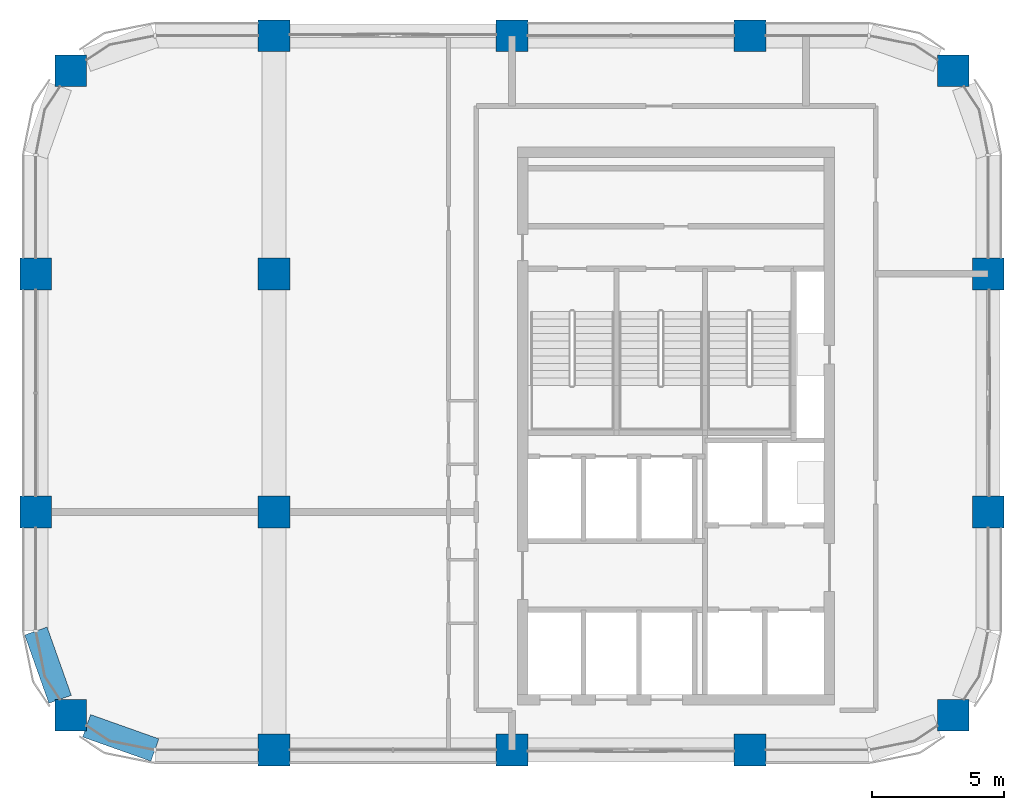
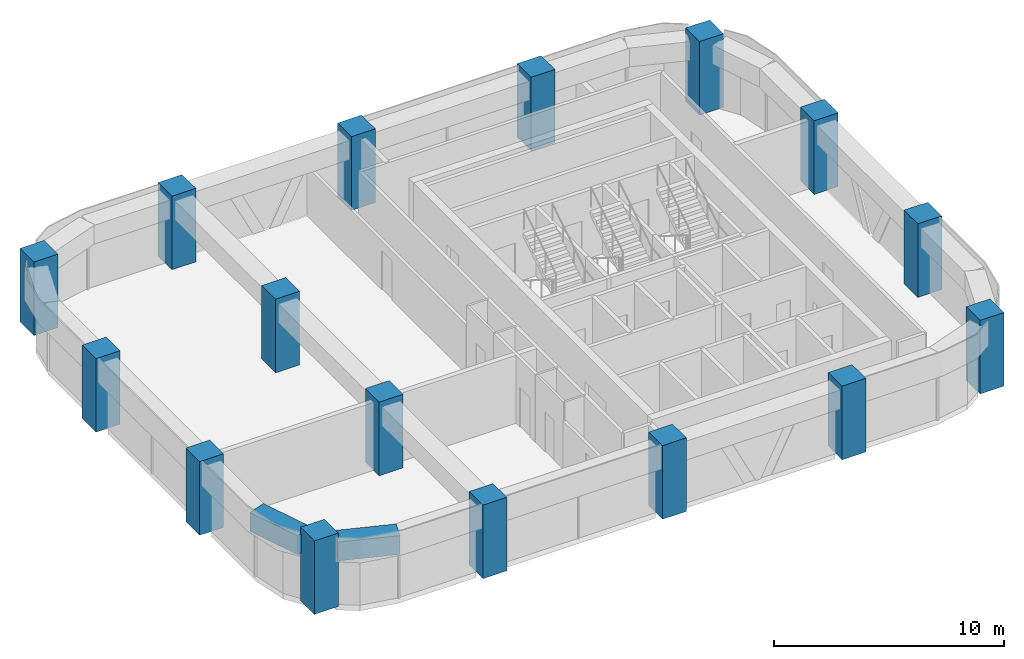
# One storey, part 1 of 9: 16 columns, 2 beams.
"""IFC4 building model written with IfcOpenShell, lengths in metres."""

from ifc_helpers import new_model, si_unit, direction, frame, origin, origin_2d, place, context, subcontext, project, spatial, rectangle, extrude, material, material_profile, profile_set, type_object, element, save


model = new_model("IFC4")

# Units and contexts
model_context = context("Model", 3, precision=1e-05, world=origin(), true_north=direction((0.0, 1.0)))
body_context = subcontext(model_context, "Body", "Model", "MODEL_VIEW")
ifc_project = project(units=[si_unit("LENGTHUNIT", "METRE"), si_unit("AREAUNIT", "SQUARE_METRE"), si_unit("VOLUMEUNIT", "CUBIC_METRE"), si_unit("PLANEANGLEUNIT", "RADIAN"), si_unit("MASSUNIT", "GRAM", prefix="KILO")], contexts=[model_context])

# Site, building, storey
site_placement = place(None, origin())
site = spatial("IfcSite", under=ifc_project, at=site_placement, CompositionType="ELEMENT")
building_placement = place(site_placement, origin())
building = spatial("IfcBuilding", under=site, at=building_placement, Name="Tessera Arch", CompositionType="ELEMENT")
storey_placement = place(building_placement, frame((0.0, 0.0, 273.5)))
storey = spatial("IfcBuildingStorey", under=building, at=storey_placement, Name="L66", CompositionType="ELEMENT", Elevation=273.5)

# Columns
ifc_material_1 = material(Name="Concrete C60/75", Category="concrete")
ifc_material_profile_1 = material_profile(ifc_material_1, rectangle(XDim=1.199951171875, YDim=1.199951171875, at=origin_2d()), Name="RC column 1200 x 1200 Concrete C60/75")
ifc_profile_set_1 = profile_set([ifc_material_profile_1], Name="Concrete C60/75")
column_type = type_object("IfcColumnType", Name="RC column 1200 x 1200 Concrete C60/75", PredefinedType="COLUMN", material=ifc_profile_set_1)
for number, where, z_axis, x_axis, name in (
    (1, (19.318115234375, 28.318115234375, 0.0), (0.0, 0.0, 1.0), (1.0, 0.0, 0.0), "Column C3D L66"),
    (2, (18.0, 36.0, 0.0), (0.0, 0.0, 1.0), (1.0, 0.0, 0.0), "Column C3E L66"),
    (3, (18.0, 45.0, 0.0), (0.0, 0.0, 1.0), (1.0, 0.0, 0.0), "Column C3F L66"),
    (4, (19.318115234375, 52.681884765625, 0.0), (0.0, 0.0, 1.0), (1.0, 0.0, 0.0), "Column C3G L66"),
    (5, (27.0, 27.0, 0.0), (0.0, 0.0, 1.0), (1.0, 0.0, 0.0), "Column C4D L66"),
    (6, (27.0, 36.0, 0.0), (0.0, 0.0, 1.0), (1.0, 0.0, 0.0), "Column C4E L66"),
    (7, (27.0, 45.0, 0.0), (0.0, 0.0, 1.0), (1.0, 0.0, 0.0), "Column C4F L66"),
    (8, (27.0, 54.0, 0.0), (0.0, 0.0, 1.0), (1.0, 0.0, 0.0), "Column C4G L66"),
    (9, (36.0, 27.0, 0.0), (0.0, 0.0, 1.0), (1.0, 0.0, 0.0), "Column C5D L66"),
    (10, (36.0, 54.0, 0.0), (0.0, 0.0, 1.0), (1.0, 0.0, 0.0), "Column C5G L66"),
    (11, (45.0, 27.0, 0.0), (0.0, 0.0, 1.0), (1.0, 0.0, 0.0), "Column C6D L66"),
    (12, (45.0, 54.0, 0.0), (0.0, 0.0, 1.0), (1.0, 0.0, 0.0), "Column C6G L66"),
    (13, (52.681884765625, 28.318115234375, 0.0), (0.0, 0.0, 1.0), (1.0, 0.0, 0.0), "Column C7D L66"),
    (14, (54.0, 36.0, 0.0), (0.0, 0.0, 1.0), (1.0, 0.0, 0.0), "Column C7E L66"),
    (15, (54.0, 45.0, 0.0), (0.0, 0.0, 1.0), (1.0, 0.0, 0.0), "Column C7F L66"),
    (16, (52.681884765625, 52.681884765625, 0.0), (0.0, 0.0, 1.0), (1.0, 0.0, 0.0), "Column C7G L66"),
):
    element("IfcColumn", number, at=place(storey_placement, frame(where, z_axis=z_axis, x_axis=x_axis)), inside=storey, type_object=column_type, Name=name, PredefinedType="COLUMN", context=body_context, shape_type="SweptSolid", body=[
        extrude(rectangle(XDim=1.199951171875, YDim=1.199951171875, at=origin_2d()), origin(), (0.0, 0.0, 1.0), 3.89990234375),
    ])

# Beams
ifc_material_2 = material(Name="Concrete C60/75", Category="concrete")
ifc_material_profile_2 = material_profile(ifc_material_2, rectangle(XDim=0.89990234375, YDim=1.0, at=origin_2d()), Name="RC spandrel beam 900 x 1000 Concrete C60/75")
ifc_profile_set_2 = profile_set([ifc_material_profile_2], Name="Concrete C60/75")
beam_type = type_object("IfcBeamType", Name="RC spandrel beam 900 x 1000 Concrete C60/75", PredefinedType="BEAM", material=ifc_profile_set_2)
for number, where, z_axis, x_axis, name in (
    (17, (18.0, 31.5, 3.10009765625), (0.334665114373, -0.942337127159, 0.0), (0.942337127159, 0.334665114373, 0.0), "Spandrel beam L66 W18.27/2.2"),
    (18, (19.91796875, 27.9169921875, 3.10009765625), (0.942337127159, -0.334665114373, 0.0), (0.334665114373, 0.942337127159, 0.0), "Spandrel beam L66 S27.18/0.1"),
):
    element("IfcBeam", number, at=place(storey_placement, frame(where, z_axis=z_axis, x_axis=x_axis)), inside=storey, type_object=beam_type, Name=name, PredefinedType="BEAM", context=body_context, shape_type="SweptSolid", body=[
        extrude(rectangle(XDim=0.89990234375, YDim=1.0, at=origin_2d()), origin(), (0.0, 0.0, 1.0), 2.739990234375),
    ])

save(model, "model.ifc")
